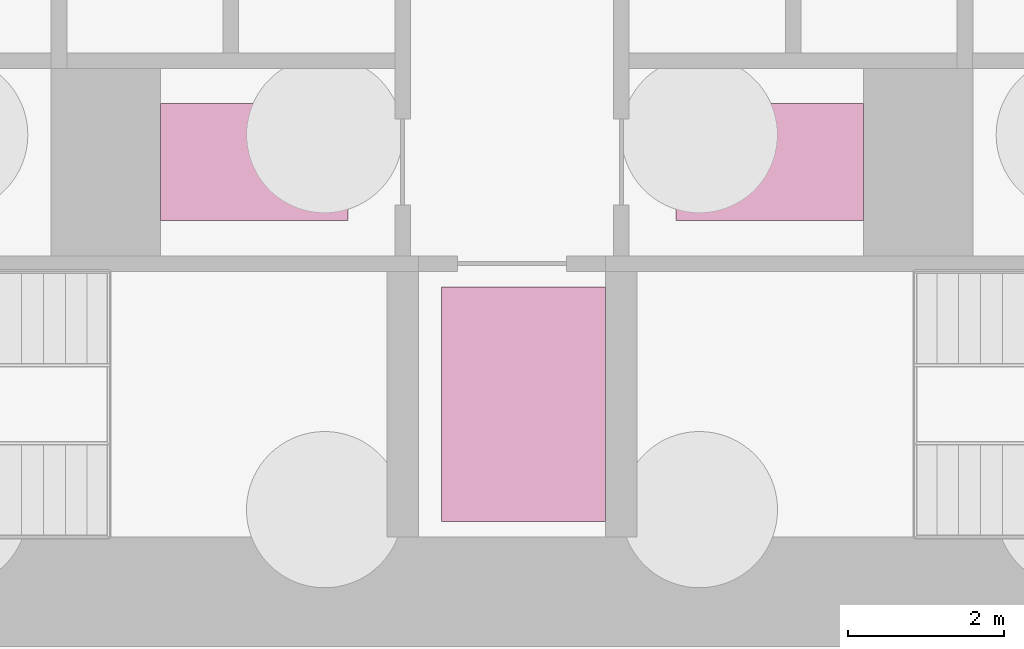
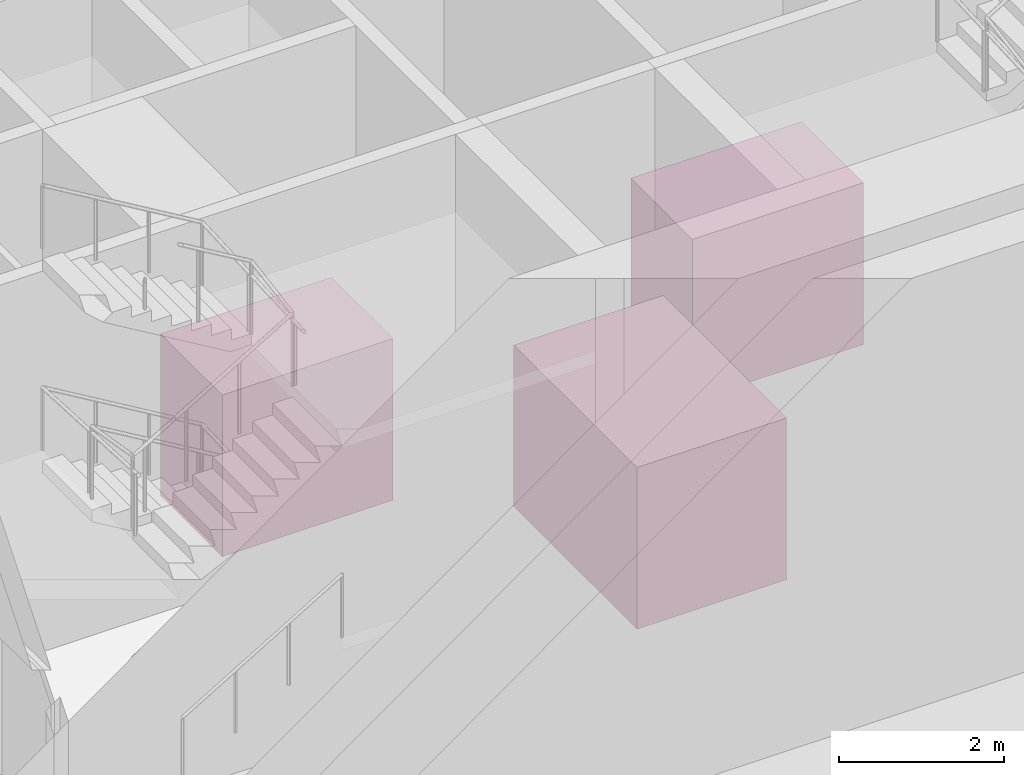
# One storey, part 8 of 8: 3 transport elements.
"""IFC4 building model written with IfcOpenShell, lengths in metres."""

from ifc_helpers import new_model, si_unit, direction, frame, origin, origin_2d, place, context, subcontext, project, spatial, rectangle, extrude, material, type_object, element, save


model = new_model("IFC4")

# Units and contexts
model_context = context("Model", 3, precision=1e-05, world=origin(), true_north=direction((0.0, 1.0)))
body_context = subcontext(model_context, "Body", "Model", "MODEL_VIEW")
ifc_project = project(units=[si_unit("LENGTHUNIT", "METRE"), si_unit("AREAUNIT", "SQUARE_METRE"), si_unit("VOLUMEUNIT", "CUBIC_METRE"), si_unit("PLANEANGLEUNIT", "RADIAN"), si_unit("MASSUNIT", "GRAM", prefix="KILO")], contexts=[model_context])

# Site, building, storey
site_placement = place(None, origin())
site = spatial("IfcSite", under=ifc_project, at=site_placement, CompositionType="ELEMENT")
building_placement = place(site_placement, origin())
building = spatial("IfcBuilding", under=site, at=building_placement, Name="Fogline Exchange Tower", CompositionType="ELEMENT")
storey_placement = place(building_placement, frame((0.0, 0.0, -14.0)))
storey = spatial("IfcBuildingStorey", under=building, at=storey_placement, Name="B2", CompositionType="ELEMENT", Elevation=-14.0)

# Transport elements
ifc_material = material(Name="Steel and glass car", Category="steel")
transport_element_type = type_object("IfcTransportElementType", Name="EL-CAR", PredefinedType="ELEVATOR", material=ifc_material)
for number, where, z_axis, x_axis, name in (
    (1, (-3.300048828125, 7.050048828125, 0.0), (0.0, 0.0, 1.0), (1.0, 0.0, 0.0), "Lift FF1"),
    (2, (3.300048828125, 7.050048828125, 0.0), (0.0, 0.0, 1.0), (1.0, 0.0, 0.0), "Lift FF2"),
):
    element("IfcTransportElement", number, at=place(storey_placement, frame(where, z_axis=z_axis, x_axis=x_axis)), inside=storey, type_object=transport_element_type, Name=name, PredefinedType="ELEVATOR", context=body_context, shape_type="SweptSolid", body=[
        extrude(rectangle(XDim=2.39990234375, YDim=1.5, at=origin_2d()), origin(), (0.0, 0.0, 1.0), 2.39990234375),
    ])
transport_element_placement = place(storey_placement, frame((0.14990234375, 3.949951171875, 0.0), z_axis=(0.0, 0.0, 1.0), x_axis=(1.0, 0.0, 0.0)))
element("IfcTransportElement", 3, at=transport_element_placement, inside=storey, type_object=transport_element_type, Name="Lift GL1", PredefinedType="ELEVATOR", context=body_context, shape_type="SweptSolid", body=[
    extrude(rectangle(XDim=2.10009765625, YDim=3.0, at=origin_2d()), origin(), (0.0, 0.0, 1.0), 2.39990234375),
])

save(model, "model.ifc")
